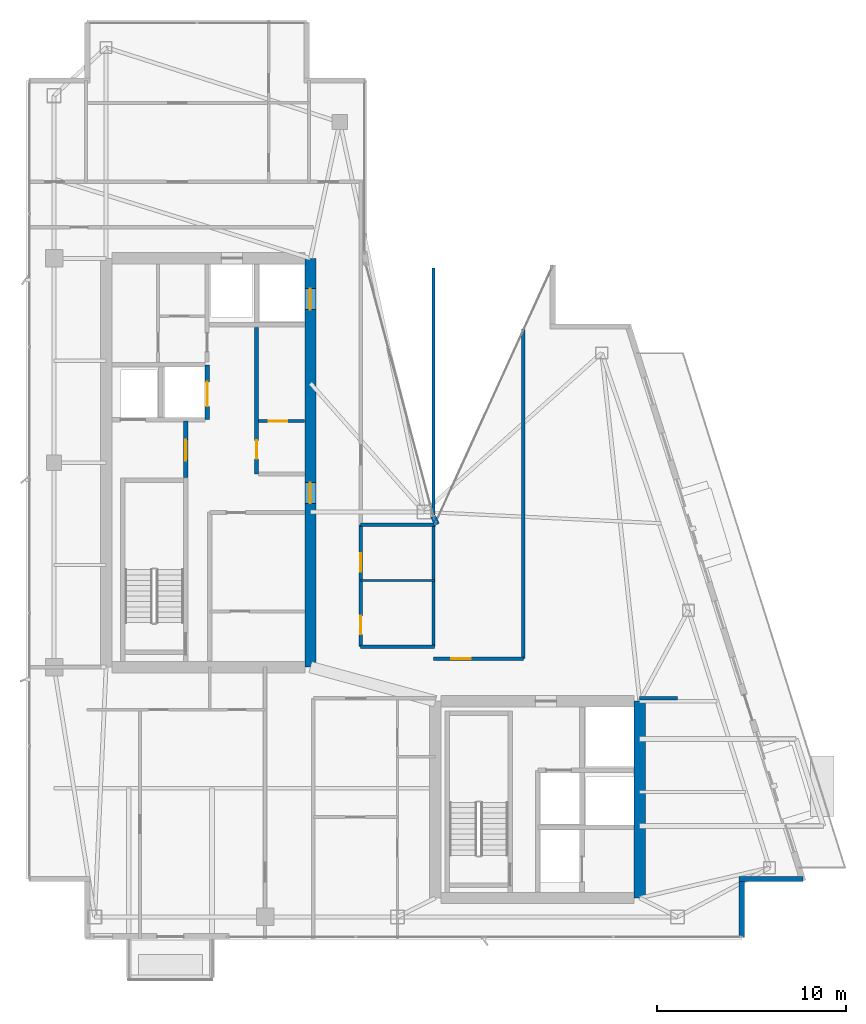
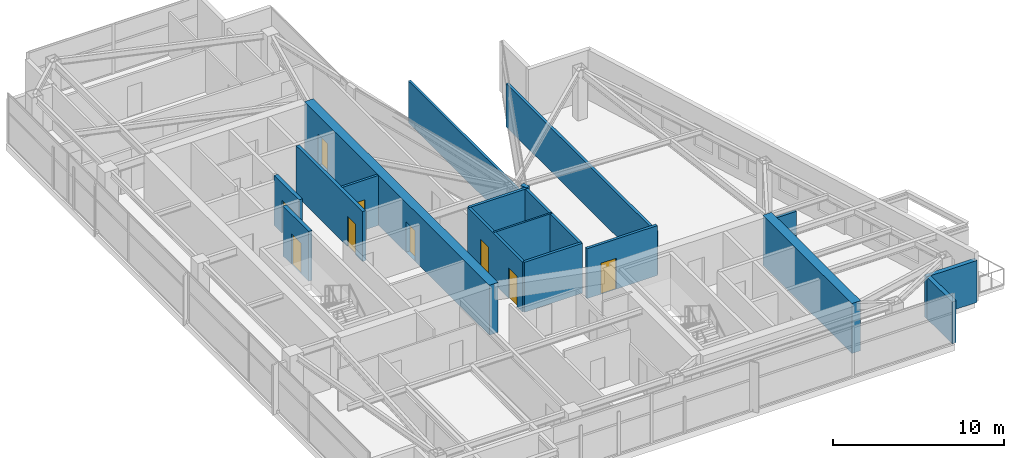
# One storey, part 23 of 27: 18 walls, 9 doors, 9 openings.
"""IFC4 building model written with IfcOpenShell, lengths in metres."""

import ifcopenshell
import ifcopenshell.guid

model = None  # the IFC model being written
_history = None  # IfcOwnerHistory: only IFC2X3 demands one
_inside = {}  # id of a spatial element -> (the spatial element, [elements in it])
_under = {}  # id of a project, library or spatial element -> (it, [spatial elements below it])
_declared = {}  # id of a project -> (the project, [libraries it declares])
_typed = {}  # id of a type object -> (the type object, [elements of that type])
_made_of = {}  # id of a material, layer set ... -> (it, [elements and type objects made of it])


def new_model(schema):
    """Start an empty IFC model of exactly this schema.

    Asked for "IFC4X3", IfcOpenShell would pick the latest addendum, in which some entities
    have other attributes; the version numbers below select the first issue.
    IFC2X3 requires an IfcOwnerHistory on every rooted entity: one is made here for all.
    """
    global model, _history
    if schema == "IFC4X3":
        model = ifcopenshell.file(schema_version=(4, 3, 0, 0))
    else:
        model = ifcopenshell.file(schema=schema)
    _inside.clear()
    _under.clear()
    _declared.clear()
    _typed.clear()
    _made_of.clear()
    _history = None
    if model.schema == "IFC2X3":
        org = make("IfcOrganization", Name="unknown")
        user = make(
            "IfcPersonAndOrganization",
            ThePerson=make("IfcPerson", FamilyName="unknown"),
            TheOrganization=org,
        )
        app = make(
            "IfcApplication",
            ApplicationDeveloper=org,
            Version="unknown",
            ApplicationFullName="unknown",
            ApplicationIdentifier="unknown",
        )
        _history = make(
            "IfcOwnerHistory",
            OwningUser=user,
            OwningApplication=app,
            ChangeAction="ADDED",
            CreationDate=0,
        )
    return model


def make(cls, **values):
    """One entity of the class cls with the attributes given. An attribute that is None is left unset."""
    return model.create_entity(
        cls, **{name: value for name, value in values.items() if value is not None}
    )


def rooted(cls, **values):
    """An entity with a GlobalId (a new one), such as an element, a storey or a relation."""
    return make(cls, GlobalId=ifcopenshell.guid.new(), OwnerHistory=_history, **values)


def si_unit(unit_type, name, prefix=None):
    """IfcSIUnit, for example si_unit("LENGTHUNIT", "METRE", prefix="MILLI")."""
    return make("IfcSIUnit", UnitType=unit_type, Prefix=prefix, Name=name)


def assignment(units):
    """IfcUnitAssignment: the units of a project."""
    return None if units is None else make("IfcUnitAssignment", Units=units)


def point(xyz):
    """IfcCartesianPoint."""
    return None if xyz is None else make("IfcCartesianPoint", Coordinates=xyz)


def direction(xyz):
    """IfcDirection."""
    return None if xyz is None else make("IfcDirection", DirectionRatios=xyz)


def frame(location, z_axis=None, x_axis=None):
    """IfcAxis2Placement3D, a coordinate frame: its origin and axes. An axis left out is left unset."""
    return make(
        "IfcAxis2Placement3D",
        Location=point(location),
        Axis=direction(z_axis),
        RefDirection=direction(x_axis),
    )


def frame_2d(location, x_axis=None):
    """IfcAxis2Placement2D, a coordinate frame in the plane: its origin and x axis."""
    return make(
        "IfcAxis2Placement2D", Location=point(location), RefDirection=direction(x_axis)
    )


def origin():
    """The frame at (0, 0, 0) with its axes left unset."""
    return frame((0.0, 0.0, 0.0))


def place(relative_to, where):
    """IfcLocalPlacement: puts the frame where relative to a parent placement (None: the world)."""
    return make(
        "IfcLocalPlacement", PlacementRelTo=relative_to, RelativePlacement=where
    )


def context(
    kind, dimensions, precision=None, world=None, true_north=None, identifier=None
):
    """IfcGeometricRepresentationContext, for example the 3D "Model" context."""
    return make(
        "IfcGeometricRepresentationContext",
        ContextIdentifier=identifier,
        ContextType=kind,
        CoordinateSpaceDimension=dimensions,
        Precision=precision,
        WorldCoordinateSystem=world,
        TrueNorth=true_north,
    )


def subcontext(parent, identifier, kind, view, scale=None):
    """IfcGeometricRepresentationSubContext, for example "Body" below "Model"."""
    return make(
        "IfcGeometricRepresentationSubContext",
        ContextIdentifier=identifier,
        ContextType=kind,
        ParentContext=parent,
        TargetScale=scale,
        TargetView=view,
    )


def project(units=None, contexts=None):
    """IfcProject with its units and contexts."""
    return rooted(
        "IfcProject",
        Name="project",
        RepresentationContexts=contexts,
        UnitsInContext=assignment(units),
    )


def spatial(cls, under=None, at=None, **own):
    """A site, building, storey or space (cls), placed at a placement, below another one or the project."""
    s = rooted(cls, ObjectPlacement=at, **own)
    if under is not None:
        _under.setdefault(under.id(), (under, []))[1].append(s)
    return s


def profile(cls, at=None, kind="AREA", **sizes):
    """A parametric profile (cls). Its sizes go by their IFC names, for example OverallWidth=200.0."""
    return make(cls, ProfileType=kind, Position=at, **sizes)


def rectangle(**sizes):
    """IfcRectangleProfileDef."""
    return profile("IfcRectangleProfileDef", **sizes)


def extrude(swept, where, along, depth):
    """IfcExtrudedAreaSolid: the profile swept, set in the frame where, extruded along a direction by depth."""
    return make(
        "IfcExtrudedAreaSolid",
        SweptArea=swept,
        Position=where,
        ExtrudedDirection=direction(along),
        Depth=depth,
    )


def shape(context_of_items, identifier, shape_type, items):
    """IfcShapeRepresentation: the items that make up one representation, for example the "Body"."""
    return make(
        "IfcShapeRepresentation",
        ContextOfItems=context_of_items,
        RepresentationIdentifier=identifier,
        RepresentationType=shape_type,
        Items=items,
    )


def material(Name=None, Category=None):
    """IfcMaterial."""
    return make("IfcMaterial", Name=Name, Category=Category)


def layer(
    of_material, thickness, ventilated=None, Name=None, Category=None, Priority=None
):
    """IfcMaterialLayer: one layer of a wall or slab, of a material (None: an air gap)."""
    return make(
        "IfcMaterialLayer",
        Material=of_material,
        LayerThickness=thickness,
        IsVentilated=ventilated,
        Name=Name,
        Category=Category,
        Priority=Priority,
    )


def layer_set(layers, Name=None):
    """IfcMaterialLayerSet."""
    return make("IfcMaterialLayerSet", MaterialLayers=layers, LayerSetName=Name)


def made_of(thing, what):
    """Note that an element or type object is made of a material, layer set ...; save() writes the relation."""
    if what is not None:
        _made_of.setdefault(what.id(), (what, []))[1].append(thing)
    return thing


def type_object(cls, material=None, **own):
    """A type object (cls), such as IfcWallType, which elements share."""
    return made_of(rooted(cls, **own), material)


def element(
    cls,
    number,
    at=None,
    inside=None,
    cuts=None,
    type_object=None,
    material=None,
    context=None,
    identifier="Body",
    shape_type=None,
    held_by="IfcProductDefinitionShape",
    body=None,
    shapes=None,
    **own,
):
    """One element of the class cls, such as IfcWall. Its Tag is "e" and its number.

    at: its placement. inside: the storey or other place that contains it. cuts: it is an
    opening in that element (IfcRelVoidsElement). A single representation is given by context,
    identifier, shape_type and body (its items); several are given by shapes. held_by: the class
    of the entity that holds the representations. save() writes the other relations.
    """
    e = rooted(cls, Tag="e%d" % number, ObjectPlacement=at, **own)
    if body is not None:
        shapes = [shape(context, identifier, shape_type, body)]
    if shapes is not None:
        e.Representation = make(held_by, Representations=shapes)
    if inside is not None:
        _inside.setdefault(inside.id(), (inside, []))[1].append(e)
    if cuts is not None:
        rooted(
            "IfcRelVoidsElement", RelatingBuildingElement=cuts, RelatedOpeningElement=e
        )
    if type_object is not None:
        _typed.setdefault(type_object.id(), (type_object, []))[1].append(e)
    return made_of(e, material)


def fill(opening, filler):
    """IfcRelFillsElement: the door or window that sits in an opening."""
    return rooted(
        "IfcRelFillsElement",
        RelatingOpeningElement=opening,
        RelatedBuildingElement=filler,
    )


def aggregate(whole, parts):
    """IfcRelAggregates: a whole, such as a stair, and the parts it consists of."""
    return rooted("IfcRelAggregates", RelatingObject=whole, RelatedObjects=parts)


def save(model, path):
    """Write the relations noted so far, then the file.

    IfcRelAggregates (storeys below a building ...), IfcRelContainedInSpatialStructure (elements
    in a storey), IfcRelDefinesByType, IfcRelAssociatesMaterial and IfcRelDeclares: one each for
    every whole, place, type object, material and project.
    """
    for whole, parts in _under.values():
        aggregate(whole, parts)
    for where, things in _inside.values():
        rooted(
            "IfcRelContainedInSpatialStructure",
            RelatedElements=things,
            RelatingStructure=where,
        )
    for kind, things in _typed.values():
        rooted("IfcRelDefinesByType", RelatedObjects=things, RelatingType=kind)
    for what, things in _made_of.values():
        rooted("IfcRelAssociatesMaterial", RelatedObjects=things, RelatingMaterial=what)
    for by, libraries in _declared.values():
        rooted("IfcRelDeclares", RelatingContext=by, RelatedDefinitions=libraries)
    model.write(path)


model = new_model("IFC4")

# Units and contexts
model_context = context("Model", 3, precision=1e-05, world=origin(), true_north=direction((0.0, 1.0)))
body_context = subcontext(model_context, "Body", "Model", "MODEL_VIEW")
ifc_project = project(units=[si_unit("LENGTHUNIT", "METRE"), si_unit("AREAUNIT", "SQUARE_METRE"), si_unit("VOLUMEUNIT", "CUBIC_METRE"), si_unit("PLANEANGLEUNIT", "RADIAN"), si_unit("MASSUNIT", "GRAM", prefix="KILO")], contexts=[model_context])

# Site, building, storey
site_placement = place(None, origin())
site = spatial("IfcSite", under=ifc_project, at=site_placement, CompositionType="ELEMENT")
building_placement = place(site_placement, origin())
building = spatial("IfcBuilding", under=site, at=building_placement, Name="Calvorn Quay Hotel", CompositionType="ELEMENT")
storey_placement = place(building_placement, frame((0.0, 0.0, 287.300048828125)))
storey = spatial("IfcBuildingStorey", under=building, at=storey_placement, Name="L71", CompositionType="ELEMENT", Elevation=287.300048828125)

# Wall, openings, doors
ifc_material_1 = material(Name="Concrete C45", Category="concrete")
ifc_layer_1 = layer(ifc_material_1, 0.60009765625)
ifc_layer_set_1 = layer_set([ifc_layer_1], Name="WL-CORE-600")
wall_type_1 = type_object("IfcWallType", Name="WL-CORE-600", PredefinedType="SHEAR", material=ifc_layer_set_1)
wall_1_placement = place(storey_placement, frame((15.0, 16.800048828125, 0.0), z_axis=(0.0, 0.0, 1.0), x_axis=(0.0, 1.0, 0.0)))
wall_1 = element("IfcWall", 1, at=wall_1_placement, inside=storey, type_object=wall_type_1, Name="West Core Shear Wall E (L71)", PredefinedType="SHEAR", context=body_context, shape_type="SweptSolid", body=[
    extrude(rectangle(XDim=21.599853515625, YDim=0.60009765625, at=frame_2d((10.7998046875, 0.0))), origin(), (0.0, 0.0, 1.0), 3.56005859375),
])
opening_1_placement = place(wall_1_placement, frame((8.64990234375, 0.0, 0.0)))
opening_1 = element("IfcOpeningElement", 2, at=opening_1_placement, cuts=wall_1, Name="Opening D-L71-CW1", PredefinedType="OPENING", context=body_context, shape_type="SweptSolid", body=[
    extrude(rectangle(XDim=1.10009765625, YDim=2.199951171875, at=frame_2d((0.550048828125, 1.10009765625))), frame((0.0, 0.31005859375, 0.0), z_axis=(0.0, -1.0, 0.0), x_axis=(1.0, 0.0, 0.0)), (0.0, 0.0, 1.0), 0.6201171875),
])
opening_2_placement = place(wall_1_placement, frame((18.89990234375, 0.0, 0.0)))
opening_2 = element("IfcOpeningElement", 3, at=opening_2_placement, cuts=wall_1, Name="Opening LD-L71-H1", PredefinedType="OPENING", context=body_context, shape_type="SweptSolid", body=[
    extrude(rectangle(XDim=1.10009765625, YDim=2.199951171875, at=frame_2d((0.550048828125, 1.10009765625))), frame((0.0, 0.31005859375, 0.0), z_axis=(0.0, -1.0, 0.0), x_axis=(1.0, 0.0, 0.0)), (0.0, 0.0, 1.0), 0.6201171875),
])
ifc_material_2 = material(Name="Smoke-Sealed Steel Class A Fire Door", Category="steel")
door_type_1 = type_object("IfcDoorType", Name="DR-FFLOBBY-1100", OperationType="NOTDEFINED", PredefinedType="DOOR", material=ifc_material_2)
door_1_placement = place(opening_1_placement, origin())
door_1 = element("IfcDoor", 4, at=door_1_placement, inside=storey, type_object=door_type_1, Name="West Core Vestibule Fire Door (L71)", OperationType="SINGLE_SWING_RIGHT", OverallHeight=2.199951171875, OverallWidth=1.10009765625, PredefinedType="DOOR", context=body_context, shape_type="SweptSolid", body=[
    extrude(rectangle(XDim=1.10009765625, YDim=2.199951171875, at=frame_2d((0.550048828125, 1.10009765625))), frame((0.0, 0.02490234375, 0.0), z_axis=(0.0, -1.0, 0.0), x_axis=(1.0, 0.0, 0.0)), (0.0, 0.0, 1.0), 0.050048828125),
])
fill(opening_1, door_1)
ifc_material_3 = material(Name="Brushed Stainless Steel Sliding Lift Landing Door", Category="steel")
door_type_2 = type_object("IfcDoorType", Name="DR-LIFT-PASS-1100", OperationType="NOTDEFINED", PredefinedType="DOOR", material=ifc_material_3)
door_2_placement = place(opening_2_placement, origin())
door_2 = element("IfcDoor", 5, at=door_2_placement, inside=storey, type_object=door_type_2, Name="High-Rise Lift PL-H1 Landing Door (L71)", OperationType="DOUBLE_DOOR_SLIDING", OverallHeight=2.199951171875, OverallWidth=1.10009765625, PredefinedType="DOOR", context=body_context, shape_type="SweptSolid", body=[
    extrude(rectangle(XDim=1.10009765625, YDim=2.199951171875, at=frame_2d((0.550048828125, 1.10009765625))), frame((0.0, 0.02490234375, 0.0), z_axis=(0.0, -1.0, 0.0), x_axis=(1.0, 0.0, 0.0)), (0.0, 0.0, 1.0), 0.050048828125),
])
fill(opening_2, door_2)

# Walls
wall_2_placement = place(storey_placement, frame((32.39990234375, 4.60009765625, 0.0), z_axis=(0.0, 0.0, 1.0), x_axis=(0.0, 1.0, 0.0)))
element("IfcWall", 6, at=wall_2_placement, inside=storey, type_object=wall_type_1, Name="East Core Shear Wall E (L71)", PredefinedType="SHEAR", context=body_context, shape_type="SweptSolid", body=[
    extrude(rectangle(XDim=10.39990234375, YDim=0.60009765625, at=frame_2d((5.199951171875, 0.0))), origin(), (0.0, 0.0, 1.0), 3.56005859375),
])
ifc_material_4 = material(Name="Acoustic Fireboard Steel-Stud Partition", Category="steel")
ifc_layer_2 = layer(ifc_material_4, 0.179931640625)
ifc_layer_set_2 = layer_set([ifc_layer_2], Name="WL-CORR-FIRE-180")
wall_type_2 = type_object("IfcWallType", Name="WL-CORR-FIRE-180", PredefinedType="PARTITIONING", material=ifc_layer_set_2)
wall_3_placement = place(storey_placement, frame((17.64990234375, 17.8798828125, 0.0), z_axis=(0.0, 0.0, 1.0), x_axis=(1.0, 0.0, 0.0)))
element("IfcWall", 7, at=wall_3_placement, inside=storey, type_object=wall_type_2, Name="Partition Wall L71-WL-HK-S", PredefinedType="PARTITIONING", context=body_context, shape_type="SweptSolid", body=[
    extrude(rectangle(XDim=3.900146484375, YDim=0.179931640625, at=frame_2d((1.9501953125, 0.0))), origin(), (0.0, 0.0, 1.0), 3.56005859375),
])
wall_4_placement = place(storey_placement, frame((17.64990234375, 24.320068359375, 0.0), z_axis=(0.0, 0.0, 1.0), x_axis=(1.0, 0.0, 0.0)))
element("IfcWall", 8, at=wall_4_placement, inside=storey, type_object=wall_type_2, Name="Partition Wall L71-WL-HK-N", PredefinedType="PARTITIONING", context=body_context, shape_type="SweptSolid", body=[
    extrude(rectangle(XDim=3.9501953125, YDim=0.179931640625, at=frame_2d((1.97509765625, 0.0))), origin(), (0.0, 0.0, 1.0), 3.56005859375),
])
wall_5_placement = place(storey_placement, frame((21.5, 17.8798828125, 0.0), z_axis=(0.0, 0.0, 1.0), x_axis=(0.0, 1.0, 0.0)))
element("IfcWall", 9, at=wall_5_placement, inside=storey, type_object=wall_type_2, Name="Partition Wall L71-WL-HK-E", PredefinedType="PARTITIONING", context=body_context, shape_type="SweptSolid", body=[
    extrude(rectangle(XDim=6.440185546875, YDim=0.179931640625, at=frame_2d((3.22021484375, 0.0))), origin(), (0.0, 0.0, 1.0), 3.56005859375),
])

# Wall, openings, doors
wall_6_placement = place(storey_placement, frame((17.64990234375, 17.8798828125, 0.0), z_axis=(0.0, 0.0, 1.0), x_axis=(0.0, 1.0, 0.0)))
wall_6 = element("IfcWall", 10, at=wall_6_placement, inside=storey, type_object=wall_type_2, Name="Partition Wall L71-WL-HK-W", PredefinedType="PARTITIONING", context=body_context, shape_type="SweptSolid", body=[
    extrude(rectangle(XDim=6.440185546875, YDim=0.179931640625, at=frame_2d((3.22021484375, 0.0))), origin(), (0.0, 0.0, 1.0), 3.56005859375),
])
opening_3_placement = place(wall_6_placement, frame((0.64990234375, 0.0, 0.0)))
opening_3 = element("IfcOpeningElement", 11, at=opening_3_placement, cuts=wall_6, Name="Opening D-L71-HK", PredefinedType="OPENING", context=body_context, shape_type="SweptSolid", body=[
    extrude(rectangle(XDim=0.97998046875, YDim=2.14990234375, at=frame_2d((0.489990234375, 1.074951171875))), frame((0.0, 0.099853515625, 0.0), z_axis=(0.0, -1.0, 0.0), x_axis=(1.0, 0.0, 0.0)), (0.0, 0.0, 1.0), 0.199951171875),
])
opening_4_placement = place(wall_6_placement, frame((3.969970703125, 0.0, 0.0)))
opening_4 = element("IfcOpeningElement", 12, at=opening_4_placement, cuts=wall_6, Name="Opening D-L71-NCP", PredefinedType="OPENING", context=body_context, shape_type="SweptSolid", body=[
    extrude(rectangle(XDim=0.9599609375, YDim=2.199951171875, at=frame_2d((0.47998046875, 1.10009765625))), frame((0.0, 0.099853515625, 0.0), z_axis=(0.0, -1.0, 0.0), x_axis=(1.0, 0.0, 0.0)), (0.0, 0.0, 1.0), 0.199951171875),
])
ifc_material_5 = material(Name="Painted Steel Housekeeping/Riser Fire Door", Category="steel")
door_type_3 = type_object("IfcDoorType", Name="DR-SERVICE-980", OperationType="NOTDEFINED", PredefinedType="DOOR", material=ifc_material_5)
door_3_placement = place(opening_3_placement, origin())
door_3 = element("IfcDoor", 13, at=door_3_placement, inside=storey, type_object=door_type_3, Name="Floor Housekeeping Door (L71)", OperationType="SINGLE_SWING_LEFT", OverallHeight=2.14990234375, OverallWidth=0.97998046875, PredefinedType="DOOR", context=body_context, shape_type="SweptSolid", body=[
    extrude(rectangle(XDim=0.97998046875, YDim=2.14990234375, at=frame_2d((0.489990234375, 1.074951171875))), frame((0.0, 0.02490234375, 0.0), z_axis=(0.0, -1.0, 0.0), x_axis=(1.0, 0.0, 0.0)), (0.0, 0.0, 1.0), 0.050048828125),
])
fill(opening_3, door_3)
ifc_material_6 = material(Name="Solid Timber Internal Suite Door", Category="wood")
door_type_4 = type_object("IfcDoorType", Name="DR-SUITE-INT-960", OperationType="NOTDEFINED", PredefinedType="DOOR", material=ifc_material_6)
door_4_placement = place(opening_4_placement, origin())
door_4 = element("IfcDoor", 14, at=door_4_placement, inside=storey, type_object=door_type_4, Name="Reading Alcove Door (L71)", OperationType="SINGLE_SWING_RIGHT", OverallHeight=2.199951171875, OverallWidth=0.9599609375, PredefinedType="DOOR", context=body_context, shape_type="SweptSolid", body=[
    extrude(rectangle(XDim=0.9599609375, YDim=2.199951171875, at=frame_2d((0.47998046875, 1.10009765625))), frame((0.0, 0.02490234375, 0.0), z_axis=(0.0, -1.0, 0.0), x_axis=(1.0, 0.0, 0.0)), (0.0, 0.0, 1.0), 0.050048828125),
])
fill(opening_4, door_4)

# Wall
wall_7_placement = place(storey_placement, frame((32.39990234375, 15.14990234375, 0.0), z_axis=(0.0, 0.0, 1.0), x_axis=(1.0, 0.0, 0.0)))
element("IfcWall", 15, at=wall_7_placement, inside=storey, type_object=wall_type_2, Name="Partition Wall L71-WL-CORR-SE-S", PredefinedType="PARTITIONING", context=body_context, shape_type="SweptSolid", body=[
    extrude(rectangle(XDim=2.0, YDim=0.179931640625, at=frame_2d((1.0, 0.0))), origin(), (0.0, 0.0, 1.0), 2.989990234375),
])

# Wall, opening, door
wall_8_placement = place(storey_placement, frame((21.5, 17.25, 0.0), z_axis=(0.0, 0.0, 1.0), x_axis=(1.0, 0.0, 0.0)))
wall_8 = element("IfcWall", 16, at=wall_8_placement, inside=storey, type_object=wall_type_2, Name="Partition Wall L71-WL-CORR-NE-N", PredefinedType="PARTITIONING", context=body_context, shape_type="SweptSolid", body=[
    extrude(rectangle(XDim=4.75, YDim=0.179931640625, at=frame_2d((2.375, 0.0))), origin(), (0.0, 0.0, 1.0), 3.56005859375),
])
opening_5_placement = place(wall_8_placement, frame((0.949951171875, 0.0, 0.0)))
opening_5 = element("IfcOpeningElement", 17, at=opening_5_placement, cuts=wall_8, Name="Opening D-L71-NS1", PredefinedType="OPENING", context=body_context, shape_type="SweptSolid", body=[
    extrude(rectangle(XDim=1.02001953125, YDim=2.199951171875, at=frame_2d((0.510009765625, 1.10009765625))), frame((0.0, 0.099853515625, 0.0), z_axis=(0.0, -1.0, 0.0), x_axis=(1.0, 0.0, 0.0)), (0.0, 0.0, 1.0), 0.199951171875),
])
ifc_material_7 = material(Name="Solid-Core Walnut Veneer Hotel Fire Door")
door_type_5 = type_object("IfcDoorType", Name="DR-GUEST-ENTRY-1020", OperationType="NOTDEFINED", PredefinedType="DOOR", material=ifc_material_7)
door_5_placement = place(opening_5_placement, origin())
door_5 = element("IfcDoor", 18, at=door_5_placement, inside=storey, type_object=door_type_5, Name="Conservatory Salon Door 1 (L71)", OperationType="SINGLE_SWING_RIGHT", OverallHeight=2.199951171875, OverallWidth=1.02001953125, PredefinedType="DOOR", context=body_context, shape_type="SweptSolid", body=[
    extrude(rectangle(XDim=1.02001953125, YDim=2.199951171875, at=frame_2d((0.510009765625, 1.10009765625))), frame((0.0, 0.02490234375, 0.0), z_axis=(0.0, -1.0, 0.0), x_axis=(1.0, 0.0, 0.0)), (0.0, 0.0, 1.0), 0.050048828125),
])
fill(opening_5, door_5)

# Walls
wall_9_placement = place(storey_placement, frame((26.25, 17.25, 0.0), z_axis=(0.0, 0.0, 1.0), x_axis=(0.0, 1.0, 0.0)))
element("IfcWall", 19, at=wall_9_placement, inside=storey, type_object=wall_type_2, Name="Partition Wall L71-WL-NE-END-E", PredefinedType="PARTITIONING", context=body_context, shape_type="SweptSolid", body=[
    extrude(rectangle(XDim=17.429931640625, YDim=0.179931640625, at=frame_2d((8.71484375, 0.0))), origin(), (0.0, 0.0, 1.0), 3.08984375),
])
ifc_material_8 = material(Name="Moisture-Resistant Tile-Backed Partition")
ifc_layer_3 = layer(ifc_material_8, 0.125)
ifc_layer_set_3 = layer_set([ifc_layer_3], Name="WL-ENSUITE-125")
wall_type_3 = type_object("IfcWallType", Name="WL-ENSUITE-125", PredefinedType="PARTITIONING", material=ifc_layer_set_3)
wall_10_placement = place(storey_placement, frame((17.64990234375, 21.3798828125, 0.0), z_axis=(0.0, 0.0, 1.0), x_axis=(1.0, 0.0, 0.0)))
element("IfcWall", 20, at=wall_10_placement, inside=storey, type_object=wall_type_3, Name="Partition Wall L71-WL-HK-M", PredefinedType="PARTITIONING", context=body_context, shape_type="SweptSolid", body=[
    extrude(rectangle(XDim=3.900146484375, YDim=0.125, at=frame_2d((1.9501953125, 0.0))), origin(), (0.0, 0.0, 1.0), 3.56005859375),
])
ifc_material_9 = material(Name="Concrete C40", Category="concrete")
ifc_layer_4 = layer(ifc_material_9, 0.320068359375)
ifc_layer_set_4 = layer_set([ifc_layer_4], Name="WL-EXT-SPANDREL-320")
wall_type_4 = type_object("IfcWallType", Name="WL-EXT-SPANDREL-320", PredefinedType="SOLIDWALL", material=ifc_layer_set_4)
wall_11_placement = place(storey_placement, frame((21.679931640625, 24.340087890625, 0.0), z_axis=(0.0, 0.0, 1.0), x_axis=(-0.40758134973, 0.913168901875, 0.0)))
element("IfcWall", 21, at=wall_11_placement, inside=storey, type_object=wall_type_4, Name="Inner Court Corner Pier L71-ICJ1", PredefinedType="SOLIDWALL", context=body_context, shape_type="SweptSolid", body=[
    extrude(rectangle(XDim=0.470703125, YDim=0.280029296875, at=frame_2d((0.2353515625, 0.0))), origin(), (0.0, 0.0, 1.0), 3.56005859375),
])
wall_12_placement = place(storey_placement, frame((37.800048828125, 2.52001953125, 0.0), z_axis=(0.0, 0.0, 1.0), x_axis=(0.0, 1.0, 0.0)))
element("IfcWall", 22, at=wall_12_placement, inside=storey, type_object=wall_type_4, Name="Notched Corner Spandrel L71-SE1", PredefinedType="SOLIDWALL", context=body_context, shape_type="SweptSolid", body=[
    extrude(rectangle(XDim=2.93994140625, YDim=0.280029296875, at=frame_2d((1.469970703125, 0.0))), origin(), (0.0, 0.0, 1.0), 2.989990234375),
])
wall_13_placement = place(storey_placement, frame((37.659912109375, 5.60009765625, 0.0), z_axis=(0.0, 0.0, 1.0), x_axis=(1.0, 0.0, 0.0)))
element("IfcWall", 23, at=wall_13_placement, inside=storey, type_object=wall_type_4, Name="Notched Corner Spandrel L71-SE2", PredefinedType="SOLIDWALL", context=body_context, shape_type="SweptSolid", body=[
    extrude(rectangle(XDim=3.380126953125, YDim=0.280029296875, at=frame_2d((1.68994140625, 0.0))), origin(), (0.0, 0.0, 1.0), 2.989990234375),
])

# Wall, opening, door
ifc_material_10 = material(Name="Double-Stud Acoustic Gypsum Partition")
ifc_layer_5 = layer(ifc_material_10, 0.159912109375)
ifc_layer_set_5 = layer_set([ifc_layer_5], Name="WL-INTERSUITE-160")
wall_type_5 = type_object("IfcWallType", Name="WL-INTERSUITE-160", PredefinedType="PARTITIONING", material=ifc_layer_set_5)
wall_14_placement = place(storey_placement, frame((12.25, 29.800048828125, 0.0), z_axis=(0.0, 0.0, 1.0), x_axis=(1.0, 0.0, 0.0)))
wall_14 = element("IfcWall", 24, at=wall_14_placement, inside=storey, type_object=wall_type_5, Name="Partition Wall L71-WL-CWW-FM-SPLIT", PredefinedType="PARTITIONING", context=body_context, shape_type="SweptSolid", body=[
    extrude(rectangle(XDim=2.429931640625, YDim=0.159912109375, at=frame_2d((1.21484375, 0.0))), origin(), (0.0, 0.0, 1.0), 3.56005859375),
])
opening_6_placement = place(wall_14_placement, frame((0.550048828125, 0.0, 0.0)))
opening_6 = element("IfcOpeningElement", 25, at=opening_6_placement, cuts=wall_14, Name="Opening D-L71-FM2", PredefinedType="OPENING", context=body_context, shape_type="SweptSolid", body=[
    extrude(rectangle(XDim=0.97998046875, YDim=2.14990234375, at=frame_2d((0.489990234375, 1.074951171875))), frame((0.0, 0.08984375, 0.0), z_axis=(0.0, -1.0, 0.0), x_axis=(1.0, 0.0, 0.0)), (0.0, 0.0, 1.0), 0.179931640625),
])
door_6_placement = place(opening_6_placement, origin())
door_6 = element("IfcDoor", 26, at=door_6_placement, inside=storey, type_object=door_type_3, Name="Comms Room Door (L71)", OperationType="SINGLE_SWING_LEFT", OverallHeight=2.14990234375, OverallWidth=0.97998046875, PredefinedType="DOOR", context=body_context, shape_type="SweptSolid", body=[
    extrude(rectangle(XDim=0.97998046875, YDim=2.14990234375, at=frame_2d((0.489990234375, 1.074951171875))), frame((0.0, 0.02490234375, 0.0), z_axis=(0.0, -1.0, 0.0), x_axis=(1.0, 0.0, 0.0)), (0.0, 0.0, 1.0), 0.050048828125),
])
fill(opening_6, door_6)

# Wall
wall_15_placement = place(storey_placement, frame((21.5, 24.85009765625, 0.0), z_axis=(0.0, 0.0, 1.0), x_axis=(0.0, 1.0, 0.0)))
element("IfcWall", 27, at=wall_15_placement, inside=storey, type_object=wall_type_5, Name="Partition Wall L71-WL-NC-UPPER-E", PredefinedType="PARTITIONING", context=body_context, shape_type="SweptSolid", body=[
    extrude(rectangle(XDim=13.0498046875, YDim=0.159912109375, at=frame_2d((6.52490234375, 0.0))), origin(), (0.0, 0.0, 1.0), 2.989990234375),
])

# Wall, opening, door
ifc_material_11 = material(Name="Autoclaved Aerated Masonry Block", Category="masonry")
ifc_layer_6 = layer(ifc_material_11, 0.219970703125)
ifc_layer_set_6 = layer_set([ifc_layer_6], Name="WL-LOBBY-FIRE-220")
wall_type_6 = type_object("IfcWallType", Name="WL-LOBBY-FIRE-220", PredefinedType="SOLIDWALL", material=ifc_layer_set_6)
wall_16_placement = place(storey_placement, frame((12.14990234375, 27.0, 0.0), z_axis=(0.0, 0.0, 1.0), x_axis=(0.0, 1.0, 0.0)))
wall_16 = element("IfcWall", 28, at=wall_16_placement, inside=storey, type_object=wall_type_6, Name="Partition Wall L71-WL-CWW-FM-W", PredefinedType="SOLIDWALL", context=body_context, shape_type="SweptSolid", body=[
    extrude(rectangle(XDim=7.75, YDim=0.219970703125, at=frame_2d((3.875, 0.0))), origin(), (0.0, 0.0, 1.0), 3.56005859375),
])
opening_7_placement = place(wall_16_placement, frame((0.800048828125, 0.0, 0.0)))
opening_7 = element("IfcOpeningElement", 29, at=opening_7_placement, cuts=wall_16, Name="Opening D-L71-FM1", PredefinedType="OPENING", context=body_context, shape_type="SweptSolid", body=[
    extrude(rectangle(XDim=0.97998046875, YDim=2.14990234375, at=frame_2d((0.489990234375, 1.074951171875))), frame((0.0, 0.119873046875, 0.0), z_axis=(0.0, -1.0, 0.0), x_axis=(1.0, 0.0, 0.0)), (0.0, 0.0, 1.0), 0.239990234375),
])
door_7_placement = place(opening_7_placement, origin())
door_7 = element("IfcDoor", 30, at=door_7_placement, inside=storey, type_object=door_type_3, Name="Butler Pantry Door (L71)", OperationType="SINGLE_SWING_RIGHT", OverallHeight=2.14990234375, OverallWidth=0.97998046875, PredefinedType="DOOR", context=body_context, shape_type="SweptSolid", body=[
    extrude(rectangle(XDim=0.97998046875, YDim=2.14990234375, at=frame_2d((0.489990234375, 1.074951171875))), frame((0.0, 0.02490234375, 0.0), z_axis=(0.0, -1.0, 0.0), x_axis=(1.0, 0.0, 0.0)), (0.0, 0.0, 1.0), 0.050048828125),
])
fill(opening_7, door_7)

ifc_material_12 = material(Name="Concrete C40", Category="concrete")
ifc_layer_7 = layer(ifc_material_12, 0.239990234375)
ifc_layer_set_7 = layer_set([ifc_layer_7], Name="WL-SHAFT-240")
wall_type_7 = type_object("IfcWallType", Name="WL-SHAFT-240", PredefinedType="SOLIDWALL", material=ifc_layer_set_7)
wall_17_placement = place(storey_placement, frame((8.419921875, 26.820068359375, 0.0), z_axis=(0.0, 0.0, 1.0), x_axis=(0.0, 1.0, 0.0)))
wall_17 = element("IfcWall", 31, at=wall_17_placement, inside=storey, type_object=wall_type_7, Name="Partition Wall L71-WL-CWW-FFL-E", PredefinedType="SOLIDWALL", context=body_context, shape_type="SweptSolid", body=[
    extrude(rectangle(XDim=3.0, YDim=0.239990234375, at=frame_2d((1.5, 0.0))), origin(), (0.0, 0.0, 1.0), 3.56005859375),
])
opening_8_placement = place(wall_17_placement, frame((0.89990234375, 0.0, 0.0)))
opening_8 = element("IfcOpeningElement", 32, at=opening_8_placement, cuts=wall_17, Name="Opening D-L71-FLW", PredefinedType="OPENING", context=body_context, shape_type="SweptSolid", body=[
    extrude(rectangle(XDim=1.10009765625, YDim=2.199951171875, at=frame_2d((0.550048828125, 1.10009765625))), frame((0.0, 0.1298828125, 0.0), z_axis=(0.0, -1.0, 0.0), x_axis=(1.0, 0.0, 0.0)), (0.0, 0.0, 1.0), 0.260009765625),
])
door_8_placement = place(opening_8_placement, origin())
door_8 = element("IfcDoor", 33, at=door_8_placement, inside=storey, type_object=door_type_1, Name="West Firefighting Lobby Fire Door (L71)", OperationType="SINGLE_SWING_RIGHT", OverallHeight=2.199951171875, OverallWidth=1.10009765625, PredefinedType="DOOR", context=body_context, shape_type="SweptSolid", body=[
    extrude(rectangle(XDim=1.10009765625, YDim=2.199951171875, at=frame_2d((0.550048828125, 1.10009765625))), frame((0.0, 0.02490234375, 0.0), z_axis=(0.0, -1.0, 0.0), x_axis=(1.0, 0.0, 0.0)), (0.0, 0.0, 1.0), 0.050048828125),
])
fill(opening_8, door_8)

wall_18_placement = place(storey_placement, frame((9.5400390625, 29.8798828125, 0.0), z_axis=(0.0, 0.0, 1.0), x_axis=(0.0, 1.0, 0.0)))
wall_18 = element("IfcWall", 34, at=wall_18_placement, inside=storey, type_object=wall_type_7, Name="Partition Wall L71-WL-CWW-SLW-E", PredefinedType="SOLIDWALL", context=body_context, shape_type="SweptSolid", body=[
    extrude(rectangle(XDim=2.900146484375, YDim=0.239990234375, at=frame_2d((1.4501953125, 0.0))), origin(), (0.0, 0.0, 1.0), 3.56005859375),
])
opening_9_placement = place(wall_18_placement, frame((0.699951171875, 0.0, 0.0)))
opening_9 = element("IfcOpeningElement", 35, at=opening_9_placement, cuts=wall_18, Name="Opening LD-L71-SLW1", PredefinedType="OPENING", context=body_context, shape_type="SweptSolid", body=[
    extrude(rectangle(XDim=1.300048828125, YDim=2.35009765625, at=frame_2d((0.64990234375, 1.175048828125))), frame((0.0, 0.1298828125, 0.0), z_axis=(0.0, -1.0, 0.0), x_axis=(1.0, 0.0, 0.0)), (0.0, 0.0, 1.0), 0.260009765625),
])
ifc_material_13 = material(Name="Champagne-Bronze Sliding Express Lift Landing Door")
door_type_6 = type_object("IfcDoorType", Name="DR-LIFT-SHUTTLE-1300", OperationType="NOTDEFINED", PredefinedType="DOOR", material=ifc_material_13)
door_9_placement = place(opening_9_placement, origin())
door_9 = element("IfcDoor", 36, at=door_9_placement, inside=storey, type_object=door_type_6, Name="Service Lift SL-W1 Landing Door (L71)", OperationType="DOUBLE_DOOR_SLIDING", OverallHeight=2.35009765625, OverallWidth=1.300048828125, PredefinedType="DOOR", context=body_context, shape_type="SweptSolid", body=[
    extrude(rectangle(XDim=1.300048828125, YDim=2.35009765625, at=frame_2d((0.64990234375, 1.175048828125))), frame((0.0, 0.02490234375, 0.0), z_axis=(0.0, -1.0, 0.0), x_axis=(1.0, 0.0, 0.0)), (0.0, 0.0, 1.0), 0.050048828125),
])
fill(opening_9, door_9)

save(model, "model.ifc")
